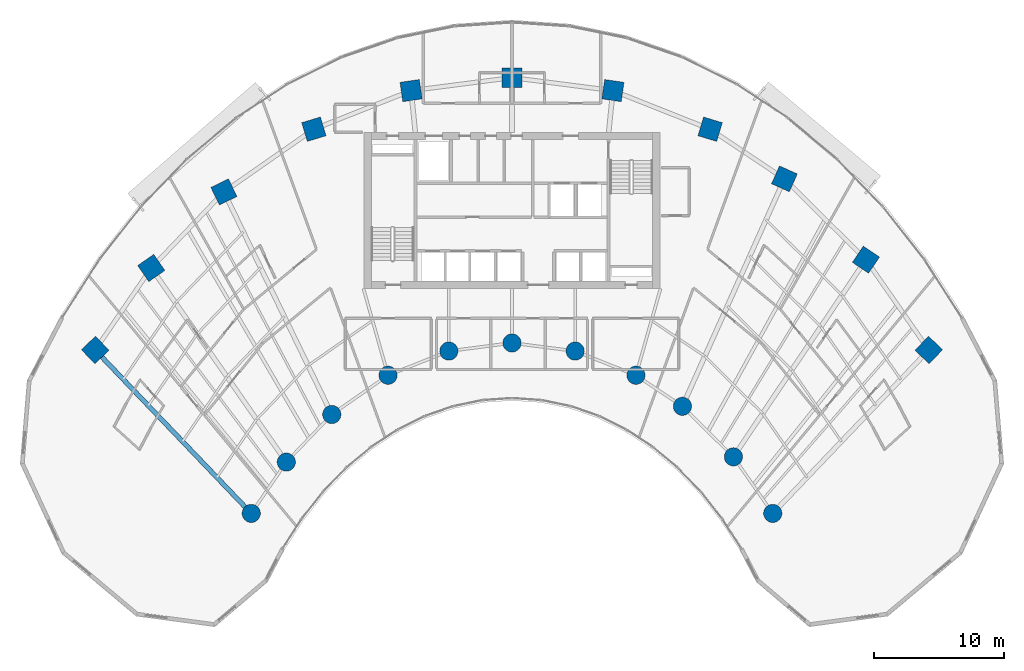
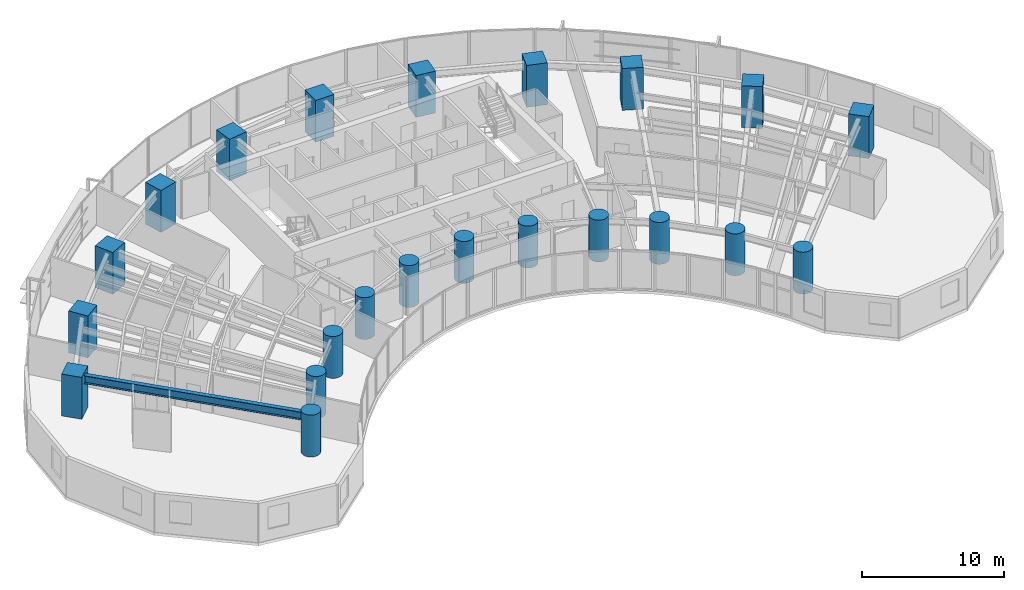
# One storey, part 1 of 17: 22 columns, 1 beam.
"""IFC4 building model written with IfcOpenShell, lengths in metres."""

import ifcopenshell
import ifcopenshell.guid

model = None  # the IFC model being written
_history = None  # IfcOwnerHistory: only IFC2X3 demands one
_inside = {}  # id of a spatial element -> (the spatial element, [elements in it])
_under = {}  # id of a project, library or spatial element -> (it, [spatial elements below it])
_declared = {}  # id of a project -> (the project, [libraries it declares])
_typed = {}  # id of a type object -> (the type object, [elements of that type])
_made_of = {}  # id of a material, layer set ... -> (it, [elements and type objects made of it])


def new_model(schema):
    """Start an empty IFC model of exactly this schema.

    Asked for "IFC4X3", IfcOpenShell would pick the latest addendum, in which some entities
    have other attributes; the version numbers below select the first issue.
    IFC2X3 requires an IfcOwnerHistory on every rooted entity: one is made here for all.
    """
    global model, _history
    if schema == "IFC4X3":
        model = ifcopenshell.file(schema_version=(4, 3, 0, 0))
    else:
        model = ifcopenshell.file(schema=schema)
    _inside.clear()
    _under.clear()
    _declared.clear()
    _typed.clear()
    _made_of.clear()
    _history = None
    if model.schema == "IFC2X3":
        org = make("IfcOrganization", Name="unknown")
        user = make(
            "IfcPersonAndOrganization",
            ThePerson=make("IfcPerson", FamilyName="unknown"),
            TheOrganization=org,
        )
        app = make(
            "IfcApplication",
            ApplicationDeveloper=org,
            Version="unknown",
            ApplicationFullName="unknown",
            ApplicationIdentifier="unknown",
        )
        _history = make(
            "IfcOwnerHistory",
            OwningUser=user,
            OwningApplication=app,
            ChangeAction="ADDED",
            CreationDate=0,
        )
    return model


def make(cls, **values):
    """One entity of the class cls with the attributes given. An attribute that is None is left unset."""
    return model.create_entity(
        cls, **{name: value for name, value in values.items() if value is not None}
    )


def rooted(cls, **values):
    """An entity with a GlobalId (a new one), such as an element, a storey or a relation."""
    return make(cls, GlobalId=ifcopenshell.guid.new(), OwnerHistory=_history, **values)


def si_unit(unit_type, name, prefix=None):
    """IfcSIUnit, for example si_unit("LENGTHUNIT", "METRE", prefix="MILLI")."""
    return make("IfcSIUnit", UnitType=unit_type, Prefix=prefix, Name=name)


def assignment(units):
    """IfcUnitAssignment: the units of a project."""
    return None if units is None else make("IfcUnitAssignment", Units=units)


def point(xyz):
    """IfcCartesianPoint."""
    return None if xyz is None else make("IfcCartesianPoint", Coordinates=xyz)


def direction(xyz):
    """IfcDirection."""
    return None if xyz is None else make("IfcDirection", DirectionRatios=xyz)


def frame(location, z_axis=None, x_axis=None):
    """IfcAxis2Placement3D, a coordinate frame: its origin and axes. An axis left out is left unset."""
    return make(
        "IfcAxis2Placement3D",
        Location=point(location),
        Axis=direction(z_axis),
        RefDirection=direction(x_axis),
    )


def frame_2d(location, x_axis=None):
    """IfcAxis2Placement2D, a coordinate frame in the plane: its origin and x axis."""
    return make(
        "IfcAxis2Placement2D", Location=point(location), RefDirection=direction(x_axis)
    )


def origin():
    """The frame at (0, 0, 0) with its axes left unset."""
    return frame((0.0, 0.0, 0.0))


def origin_2d():
    """The frame at (0, 0) in the plane with its x axis left unset."""
    return frame_2d((0.0, 0.0))


def place(relative_to, where):
    """IfcLocalPlacement: puts the frame where relative to a parent placement (None: the world)."""
    return make(
        "IfcLocalPlacement", PlacementRelTo=relative_to, RelativePlacement=where
    )


def context(
    kind, dimensions, precision=None, world=None, true_north=None, identifier=None
):
    """IfcGeometricRepresentationContext, for example the 3D "Model" context."""
    return make(
        "IfcGeometricRepresentationContext",
        ContextIdentifier=identifier,
        ContextType=kind,
        CoordinateSpaceDimension=dimensions,
        Precision=precision,
        WorldCoordinateSystem=world,
        TrueNorth=true_north,
    )


def subcontext(parent, identifier, kind, view, scale=None):
    """IfcGeometricRepresentationSubContext, for example "Body" below "Model"."""
    return make(
        "IfcGeometricRepresentationSubContext",
        ContextIdentifier=identifier,
        ContextType=kind,
        ParentContext=parent,
        TargetScale=scale,
        TargetView=view,
    )


def project(units=None, contexts=None):
    """IfcProject with its units and contexts."""
    return rooted(
        "IfcProject",
        Name="project",
        RepresentationContexts=contexts,
        UnitsInContext=assignment(units),
    )


def spatial(cls, under=None, at=None, **own):
    """A site, building, storey or space (cls), placed at a placement, below another one or the project."""
    s = rooted(cls, ObjectPlacement=at, **own)
    if under is not None:
        _under.setdefault(under.id(), (under, []))[1].append(s)
    return s


def profile(cls, at=None, kind="AREA", **sizes):
    """A parametric profile (cls). Its sizes go by their IFC names, for example OverallWidth=200.0."""
    return make(cls, ProfileType=kind, Position=at, **sizes)


def rectangle(**sizes):
    """IfcRectangleProfileDef."""
    return profile("IfcRectangleProfileDef", **sizes)


def circle(**sizes):
    """IfcCircleProfileDef."""
    return profile("IfcCircleProfileDef", **sizes)


def i_section(**sizes):
    """IfcIShapeProfileDef."""
    return profile("IfcIShapeProfileDef", **sizes)


def extrude(swept, where, along, depth):
    """IfcExtrudedAreaSolid: the profile swept, set in the frame where, extruded along a direction by depth."""
    return make(
        "IfcExtrudedAreaSolid",
        SweptArea=swept,
        Position=where,
        ExtrudedDirection=direction(along),
        Depth=depth,
    )


def shape(context_of_items, identifier, shape_type, items):
    """IfcShapeRepresentation: the items that make up one representation, for example the "Body"."""
    return make(
        "IfcShapeRepresentation",
        ContextOfItems=context_of_items,
        RepresentationIdentifier=identifier,
        RepresentationType=shape_type,
        Items=items,
    )


def source(mapping_origin, context_of_items, identifier, shape_type, items):
    """IfcRepresentationMap: a shape defined once, which mapped items show again and again."""
    return make(
        "IfcRepresentationMap",
        MappingOrigin=mapping_origin,
        MappedRepresentation=shape(context_of_items, identifier, shape_type, items),
    )


def transform(
    local_origin,
    x_axis=None,
    y_axis=None,
    z_axis=None,
    scale=None,
    scale2=None,
    scale3=None,
    uniform=True,
):
    """IfcCartesianTransformationOperator3D, or its non-uniform kind. x_axis, y_axis, z_axis: its Axis1, 2, 3."""
    if uniform:
        return make(
            "IfcCartesianTransformationOperator3D",
            Axis1=direction(x_axis),
            Axis2=direction(y_axis),
            LocalOrigin=point(local_origin),
            Scale=scale,
            Axis3=direction(z_axis),
        )
    return make(
        "IfcCartesianTransformationOperator3DnonUniform",
        Axis1=direction(x_axis),
        Axis2=direction(y_axis),
        LocalOrigin=point(local_origin),
        Scale=scale,
        Axis3=direction(z_axis),
        Scale2=scale2,
        Scale3=scale3,
    )


def mapped(mapping_source, mapping_target):
    """IfcMappedItem: shows the shape of a source again, moved by a transform."""
    return make(
        "IfcMappedItem", MappingSource=mapping_source, MappingTarget=mapping_target
    )


def material(Name=None, Category=None):
    """IfcMaterial."""
    return make("IfcMaterial", Name=Name, Category=Category)


def material_profile(
    of_material, cross_section, Name=None, Category=None, Priority=None
):
    """IfcMaterialProfile: a cross section and its material."""
    return make(
        "IfcMaterialProfile",
        Name=Name,
        Material=of_material,
        Profile=cross_section,
        Priority=Priority,
        Category=Category,
    )


def profile_set(profiles, Name=None, composite=None):
    """IfcMaterialProfileSet."""
    return make(
        "IfcMaterialProfileSet",
        Name=Name,
        MaterialProfiles=profiles,
        CompositeProfile=composite,
    )


def made_of(thing, what):
    """Note that an element or type object is made of a material, layer set ...; save() writes the relation."""
    if what is not None:
        _made_of.setdefault(what.id(), (what, []))[1].append(thing)
    return thing


def type_object(cls, material=None, **own):
    """A type object (cls), such as IfcWallType, which elements share."""
    return made_of(rooted(cls, **own), material)


def type_shapes(of_type, sources):
    """Give a type object the sources (RepresentationMaps) that its elements show as mapped items."""
    of_type.RepresentationMaps = sources


def element(
    cls,
    number,
    at=None,
    inside=None,
    cuts=None,
    type_object=None,
    material=None,
    context=None,
    identifier="Body",
    shape_type=None,
    held_by="IfcProductDefinitionShape",
    body=None,
    shapes=None,
    **own,
):
    """One element of the class cls, such as IfcWall. Its Tag is "e" and its number.

    at: its placement. inside: the storey or other place that contains it. cuts: it is an
    opening in that element (IfcRelVoidsElement). A single representation is given by context,
    identifier, shape_type and body (its items); several are given by shapes. held_by: the class
    of the entity that holds the representations. save() writes the other relations.
    """
    e = rooted(cls, Tag="e%d" % number, ObjectPlacement=at, **own)
    if body is not None:
        shapes = [shape(context, identifier, shape_type, body)]
    if shapes is not None:
        e.Representation = make(held_by, Representations=shapes)
    if inside is not None:
        _inside.setdefault(inside.id(), (inside, []))[1].append(e)
    if cuts is not None:
        rooted(
            "IfcRelVoidsElement", RelatingBuildingElement=cuts, RelatedOpeningElement=e
        )
    if type_object is not None:
        _typed.setdefault(type_object.id(), (type_object, []))[1].append(e)
    return made_of(e, material)


def aggregate(whole, parts):
    """IfcRelAggregates: a whole, such as a stair, and the parts it consists of."""
    return rooted("IfcRelAggregates", RelatingObject=whole, RelatedObjects=parts)


def save(model, path):
    """Write the relations noted so far, then the file.

    IfcRelAggregates (storeys below a building ...), IfcRelContainedInSpatialStructure (elements
    in a storey), IfcRelDefinesByType, IfcRelAssociatesMaterial and IfcRelDeclares: one each for
    every whole, place, type object, material and project.
    """
    for whole, parts in _under.values():
        aggregate(whole, parts)
    for where, things in _inside.values():
        rooted(
            "IfcRelContainedInSpatialStructure",
            RelatedElements=things,
            RelatingStructure=where,
        )
    for kind, things in _typed.values():
        rooted("IfcRelDefinesByType", RelatedObjects=things, RelatingType=kind)
    for what, things in _made_of.values():
        rooted("IfcRelAssociatesMaterial", RelatedObjects=things, RelatingMaterial=what)
    for by, libraries in _declared.values():
        rooted("IfcRelDeclares", RelatingContext=by, RelatedDefinitions=libraries)
    model.write(path)


model = new_model("IFC4")

# Units and contexts
model_context = context("Model", 3, precision=1e-05, world=origin(), true_north=direction((0.0, 1.0)))
body_context = subcontext(model_context, "Body", "Model", "MODEL_VIEW")
ifc_project = project(units=[si_unit("LENGTHUNIT", "METRE"), si_unit("AREAUNIT", "SQUARE_METRE"), si_unit("VOLUMEUNIT", "CUBIC_METRE"), si_unit("PLANEANGLEUNIT", "RADIAN"), si_unit("MASSUNIT", "GRAM", prefix="KILO")], contexts=[model_context])

# Site, building, storey
site_placement = place(None, origin())
site = spatial("IfcSite", under=ifc_project, at=site_placement, CompositionType="ELEMENT")
building_placement = place(site_placement, origin())
building = spatial("IfcBuilding", under=site, at=building_placement, Name="Breltana Convention Tower", CompositionType="ELEMENT")
storey_placement = place(building_placement, frame((0.0, 0.0, 49.800048828125)))
storey = spatial("IfcBuildingStorey", under=building, at=storey_placement, Name="L10", CompositionType="ELEMENT", Elevation=49.800048828125)

# Columns
ifc_material_1 = material(Name="Concrete C60/75", Category="concrete")
ifc_material_profile_1 = material_profile(ifc_material_1, circle(Radius=0.699951171875, at=origin_2d()), Name="RC-COL-D1400")
ifc_profile_set_1 = profile_set([ifc_material_profile_1], Name="Concrete C60/75")
column_type_1 = type_object("IfcColumnType", Name="COL-RC-D1400", PredefinedType="COLUMN", material=ifc_profile_set_1)
shared_shape_1 = source(origin(), body_context, "Body", "SweptSolid", [
    extrude(circle(Radius=0.699951171875, at=origin_2d()), origin(), (0.0, 0.0, 1.0), 3.599853515625),
])
for number, where, z_axis, x_axis, name in (
    (1, (27.984619140625, 42.95458984375, 0.0), (0.0, 0.0, 1.0), (-0.690756218984, 0.723087716626, 0.0), "L10 Tower Column R01-IN"),
    (2, (30.67724609375, 46.892333984375, 0.0), (0.0, 0.0, 1.0), (-0.571143442153, 0.820850271661, 0.0), "L10 Tower Column R02-IN"),
    (3, (34.166259765625, 50.544921875, 0.0), (0.0, 0.0, 1.0), (-0.436173672171, 0.899862504889, 0.0), "L10 Tower Column R03-IN"),
    (4, (38.485107421875, 53.5576171875, 0.0), (0.0, 0.0, 1.0), (-0.288697611798, 0.957420330337, 0.0), "L10 Tower Column R04-IN"),
    (5, (43.153564453125, 55.41064453125, 0.0), (0.0, 0.0, 1.0), (-0.143492621991, 0.98965138682, 0.0), "L10 Tower Column R05-IN"),
    (6, (48.0, 56.035888671875, 0.0), (0.0, 0.0, 1.0), (0.0, 1.0, 0.0), "L10 Tower Column R06-IN"),
    (7, (52.846435546875, 55.41064453125, 0.0), (0.0, 0.0, 1.0), (0.143492621991, 0.98965138682, 0.0), "L10 Tower Column R07-IN"),
    (8, (57.514892578125, 53.5576171875, 0.0), (0.0, 0.0, 1.0), (0.288697611798, 0.957420330337, 0.0), "L10 Tower Column R08-IN"),
    (9, (61.08203125, 51.174560546875, 0.0), (0.0, 0.0, 1.0), (0.409126902895, 0.912477494148, 0.0), "L10 Tower Column R09-IN"),
    (10, (64.995849609375, 47.293701171875, 0.0), (0.0, 0.0, 1.0), (0.55774510898, 0.830012285095, 0.0), "L10 Tower Column R10-IN"),
    (11, (68.015380859375, 42.95458984375, 0.0), (0.0, 0.0, 1.0), (0.690756218984, 0.723087716626, 0.0), "L10 Tower Column R11-IN"),
):
    element("IfcColumn", number, at=place(storey_placement, frame(where, z_axis=z_axis, x_axis=x_axis)), inside=storey, type_object=column_type_1, Name=name, PredefinedType="COLUMN", context=body_context, shape_type="MappedRepresentation", body=[
        mapped(shared_shape_1, transform((0.0, 0.0, 0.0), scale=1.0)),
    ])
ifc_material_profile_2 = material_profile(ifc_material_1, rectangle(XDim=1.5, YDim=1.5, at=origin_2d()), Name="RC-COL-1500X1500")
ifc_profile_set_2 = profile_set([ifc_material_profile_2], Name="Concrete C60/75")
column_type_2 = type_object("IfcColumnType", Name="COL-RC-1500", PredefinedType="COLUMN", material=ifc_profile_set_2)
shared_shape_2 = source(origin(), body_context, "Body", "SweptSolid", [
    extrude(rectangle(XDim=1.5, YDim=1.5, at=origin_2d()), origin(), (0.0, 0.0, 1.0), 3.599853515625),
])
for number, where, z_axis, x_axis, name in (
    (12, (16.0068359375, 55.494384765625, 0.0), (0.0, 0.0, 1.0), (-0.690756218984, 0.723087716626, 0.0), "L10 Tower Column R01-OUT"),
    (13, (20.310791015625, 61.78857421875, 0.0), (0.0, 0.0, 1.0), (-0.571143442153, 0.820850271661, 0.0), "L10 Tower Column R02-OUT"),
    (14, (25.8876953125, 67.626953125, 0.0), (0.0, 0.0, 1.0), (-0.436173672171, 0.899862504889, 0.0), "L10 Tower Column R03-OUT"),
    (15, (32.791015625, 72.4423828125, 0.0), (0.0, 0.0, 1.0), (-0.288697611798, 0.957420330337, 0.0), "L10 Tower Column R04-OUT"),
    (16, (40.253173828125, 75.404296875, 0.0), (0.0, 0.0, 1.0), (-0.143492621991, 0.98965138682, 0.0), "L10 Tower Column R05-OUT"),
    (17, (48.0, 76.404052734375, 0.0), (0.0, 0.0, 1.0), (0.0, 1.0, 0.0), "L10 Tower Column R06-OUT"),
    (18, (55.746826171875, 75.404296875, 0.0), (0.0, 0.0, 1.0), (0.143492621991, 0.98965138682, 0.0), "L10 Tower Column R07-OUT"),
    (19, (63.208984375, 72.4423828125, 0.0), (0.0, 0.0, 1.0), (0.288697611798, 0.957420330337, 0.0), "L10 Tower Column R08-OUT"),
    (20, (68.910400390625, 68.63330078125, 0.0), (0.0, 0.0, 1.0), (0.409126902895, 0.912477494148, 0.0), "L10 Tower Column R09-OUT"),
    (21, (75.166748046875, 62.43017578125, 0.0), (0.0, 0.0, 1.0), (0.55774510898, 0.830012285095, 0.0), "L10 Tower Column R10-OUT"),
    (22, (79.9931640625, 55.494384765625, 0.0), (0.0, 0.0, 1.0), (0.690756218984, 0.723087716626, 0.0), "L10 Tower Column R11-OUT"),
):
    element("IfcColumn", number, at=place(storey_placement, frame(where, z_axis=z_axis, x_axis=x_axis)), inside=storey, type_object=column_type_2, Name=name, PredefinedType="COLUMN", context=body_context, shape_type="MappedRepresentation", body=[
        mapped(shared_shape_2, transform((0.0, 0.0, 0.0), scale=1.0)),
    ])

# Beam
ifc_material_2 = material(Name="Steel ASTM A992 Grade 50", Category="steel")
ifc_material_profile_3 = material_profile(ifc_material_2, i_section(OverallWidth=0.35498046875, OverallDepth=0.696044921875, WebThickness=0.015380859375, FlangeThickness=0.02490234375, at=origin_2d()), Name="W27X146")
ifc_profile_set_3 = profile_set([ifc_material_profile_3], Name="Steel ASTM A992 Grade 50")
beam_type = type_object("IfcBeamType", Name="BM-RG-W27X146", PredefinedType="USERDEFINED", material=ifc_profile_set_3)
shared_shape_3 = source(origin(), body_context, "Body", "SweptSolid", [
    extrude(i_section(OverallWidth=0.35498046875, OverallDepth=0.696044921875, WebThickness=0.015380859375, FlangeThickness=0.02490234375, at=origin_2d()), origin(), (0.0, 0.0, 1.0), 17.341064453125),
])
type_shapes(beam_type, [shared_shape_3])
beam_placement = place(storey_placement, frame((27.984619140625, 42.95458984375, 3.011962890625), z_axis=(-0.690716462293, 0.723125693581, 0.0), x_axis=(-0.723125693581, -0.690716462293, 0.0)))
element("IfcBeam", 23, at=beam_placement, inside=storey, type_object=beam_type, Name="L10 Radial Floor Girder R01", ObjectType="GIRDER", PredefinedType="USERDEFINED", context=body_context, shape_type="MappedRepresentation", body=[
    mapped(shared_shape_3, transform((0.0, 0.0, 0.0), scale=1.0)),
])

save(model, "model.ifc")
